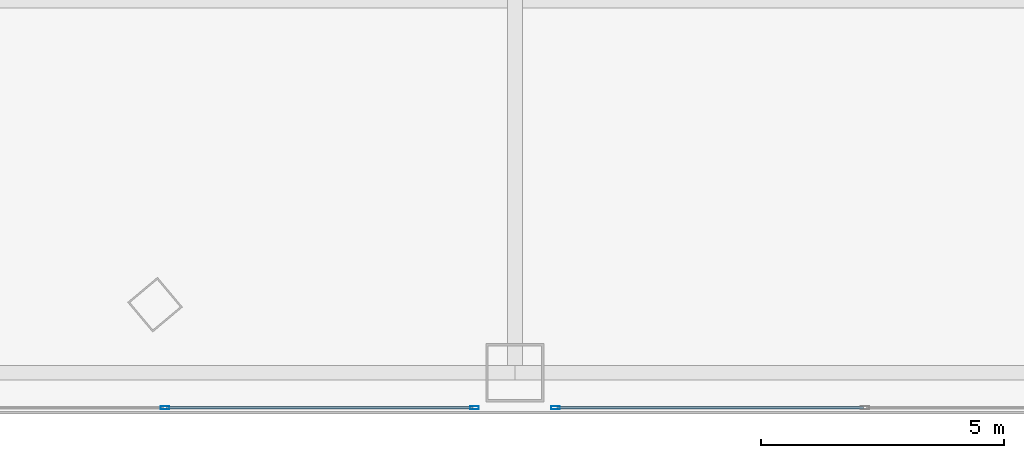
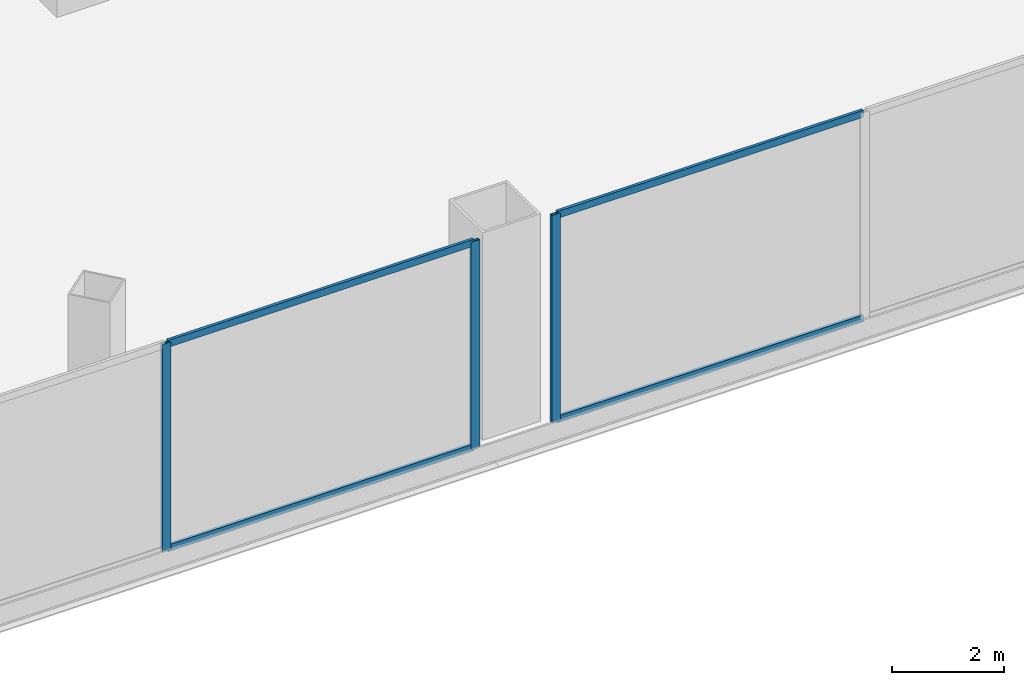
# One storey, part 13 of 27: 7 members, 2 elements without a shape of their own.
"""IFC4 building model written with IfcOpenShell, lengths in metres."""

import ifcopenshell
import ifcopenshell.guid

model = None  # the IFC model being written
_history = None  # IfcOwnerHistory: only IFC2X3 demands one
_inside = {}  # id of a spatial element -> (the spatial element, [elements in it])
_under = {}  # id of a project, library or spatial element -> (it, [spatial elements below it])
_declared = {}  # id of a project -> (the project, [libraries it declares])
_typed = {}  # id of a type object -> (the type object, [elements of that type])
_made_of = {}  # id of a material, layer set ... -> (it, [elements and type objects made of it])


def new_model(schema):
    """Start an empty IFC model of exactly this schema.

    Asked for "IFC4X3", IfcOpenShell would pick the latest addendum, in which some entities
    have other attributes; the version numbers below select the first issue.
    IFC2X3 requires an IfcOwnerHistory on every rooted entity: one is made here for all.
    """
    global model, _history
    if schema == "IFC4X3":
        model = ifcopenshell.file(schema_version=(4, 3, 0, 0))
    else:
        model = ifcopenshell.file(schema=schema)
    _inside.clear()
    _under.clear()
    _declared.clear()
    _typed.clear()
    _made_of.clear()
    _history = None
    if model.schema == "IFC2X3":
        org = make("IfcOrganization", Name="unknown")
        user = make(
            "IfcPersonAndOrganization",
            ThePerson=make("IfcPerson", FamilyName="unknown"),
            TheOrganization=org,
        )
        app = make(
            "IfcApplication",
            ApplicationDeveloper=org,
            Version="unknown",
            ApplicationFullName="unknown",
            ApplicationIdentifier="unknown",
        )
        _history = make(
            "IfcOwnerHistory",
            OwningUser=user,
            OwningApplication=app,
            ChangeAction="ADDED",
            CreationDate=0,
        )
    return model


def make(cls, **values):
    """One entity of the class cls with the attributes given. An attribute that is None is left unset."""
    return model.create_entity(
        cls, **{name: value for name, value in values.items() if value is not None}
    )


def rooted(cls, **values):
    """An entity with a GlobalId (a new one), such as an element, a storey or a relation."""
    return make(cls, GlobalId=ifcopenshell.guid.new(), OwnerHistory=_history, **values)


def si_unit(unit_type, name, prefix=None):
    """IfcSIUnit, for example si_unit("LENGTHUNIT", "METRE", prefix="MILLI")."""
    return make("IfcSIUnit", UnitType=unit_type, Prefix=prefix, Name=name)


def assignment(units):
    """IfcUnitAssignment: the units of a project."""
    return None if units is None else make("IfcUnitAssignment", Units=units)


def point(xyz):
    """IfcCartesianPoint."""
    return None if xyz is None else make("IfcCartesianPoint", Coordinates=xyz)


def direction(xyz):
    """IfcDirection."""
    return None if xyz is None else make("IfcDirection", DirectionRatios=xyz)


def frame(location, z_axis=None, x_axis=None):
    """IfcAxis2Placement3D, a coordinate frame: its origin and axes. An axis left out is left unset."""
    return make(
        "IfcAxis2Placement3D",
        Location=point(location),
        Axis=direction(z_axis),
        RefDirection=direction(x_axis),
    )


def frame_2d(location, x_axis=None):
    """IfcAxis2Placement2D, a coordinate frame in the plane: its origin and x axis."""
    return make(
        "IfcAxis2Placement2D", Location=point(location), RefDirection=direction(x_axis)
    )


def origin():
    """The frame at (0, 0, 0) with its axes left unset."""
    return frame((0.0, 0.0, 0.0))


def origin_2d():
    """The frame at (0, 0) in the plane with its x axis left unset."""
    return frame_2d((0.0, 0.0))


def place(relative_to, where):
    """IfcLocalPlacement: puts the frame where relative to a parent placement (None: the world)."""
    return make(
        "IfcLocalPlacement", PlacementRelTo=relative_to, RelativePlacement=where
    )


def context(
    kind, dimensions, precision=None, world=None, true_north=None, identifier=None
):
    """IfcGeometricRepresentationContext, for example the 3D "Model" context."""
    return make(
        "IfcGeometricRepresentationContext",
        ContextIdentifier=identifier,
        ContextType=kind,
        CoordinateSpaceDimension=dimensions,
        Precision=precision,
        WorldCoordinateSystem=world,
        TrueNorth=true_north,
    )


def subcontext(parent, identifier, kind, view, scale=None):
    """IfcGeometricRepresentationSubContext, for example "Body" below "Model"."""
    return make(
        "IfcGeometricRepresentationSubContext",
        ContextIdentifier=identifier,
        ContextType=kind,
        ParentContext=parent,
        TargetScale=scale,
        TargetView=view,
    )


def project(units=None, contexts=None):
    """IfcProject with its units and contexts."""
    return rooted(
        "IfcProject",
        Name="project",
        RepresentationContexts=contexts,
        UnitsInContext=assignment(units),
    )


def spatial(cls, under=None, at=None, **own):
    """A site, building, storey or space (cls), placed at a placement, below another one or the project."""
    s = rooted(cls, ObjectPlacement=at, **own)
    if under is not None:
        _under.setdefault(under.id(), (under, []))[1].append(s)
    return s


def profile(cls, at=None, kind="AREA", **sizes):
    """A parametric profile (cls). Its sizes go by their IFC names, for example OverallWidth=200.0."""
    return make(cls, ProfileType=kind, Position=at, **sizes)


def hollow_rectangle(**sizes):
    """IfcRectangleHollowProfileDef."""
    return profile("IfcRectangleHollowProfileDef", **sizes)


def extrude(swept, where, along, depth):
    """IfcExtrudedAreaSolid: the profile swept, set in the frame where, extruded along a direction by depth."""
    return make(
        "IfcExtrudedAreaSolid",
        SweptArea=swept,
        Position=where,
        ExtrudedDirection=direction(along),
        Depth=depth,
    )


def shape(context_of_items, identifier, shape_type, items):
    """IfcShapeRepresentation: the items that make up one representation, for example the "Body"."""
    return make(
        "IfcShapeRepresentation",
        ContextOfItems=context_of_items,
        RepresentationIdentifier=identifier,
        RepresentationType=shape_type,
        Items=items,
    )


def source(mapping_origin, context_of_items, identifier, shape_type, items):
    """IfcRepresentationMap: a shape defined once, which mapped items show again and again."""
    return make(
        "IfcRepresentationMap",
        MappingOrigin=mapping_origin,
        MappedRepresentation=shape(context_of_items, identifier, shape_type, items),
    )


def transform(
    local_origin,
    x_axis=None,
    y_axis=None,
    z_axis=None,
    scale=None,
    scale2=None,
    scale3=None,
    uniform=True,
):
    """IfcCartesianTransformationOperator3D, or its non-uniform kind. x_axis, y_axis, z_axis: its Axis1, 2, 3."""
    if uniform:
        return make(
            "IfcCartesianTransformationOperator3D",
            Axis1=direction(x_axis),
            Axis2=direction(y_axis),
            LocalOrigin=point(local_origin),
            Scale=scale,
            Axis3=direction(z_axis),
        )
    return make(
        "IfcCartesianTransformationOperator3DnonUniform",
        Axis1=direction(x_axis),
        Axis2=direction(y_axis),
        LocalOrigin=point(local_origin),
        Scale=scale,
        Axis3=direction(z_axis),
        Scale2=scale2,
        Scale3=scale3,
    )


def mapped(mapping_source, mapping_target):
    """IfcMappedItem: shows the shape of a source again, moved by a transform."""
    return make(
        "IfcMappedItem", MappingSource=mapping_source, MappingTarget=mapping_target
    )


def material(Name=None, Category=None):
    """IfcMaterial."""
    return make("IfcMaterial", Name=Name, Category=Category)


def layer(
    of_material, thickness, ventilated=None, Name=None, Category=None, Priority=None
):
    """IfcMaterialLayer: one layer of a wall or slab, of a material (None: an air gap)."""
    return make(
        "IfcMaterialLayer",
        Material=of_material,
        LayerThickness=thickness,
        IsVentilated=ventilated,
        Name=Name,
        Category=Category,
        Priority=Priority,
    )


def layer_set(layers, Name=None):
    """IfcMaterialLayerSet."""
    return make("IfcMaterialLayerSet", MaterialLayers=layers, LayerSetName=Name)


def material_profile(
    of_material, cross_section, Name=None, Category=None, Priority=None
):
    """IfcMaterialProfile: a cross section and its material."""
    return make(
        "IfcMaterialProfile",
        Name=Name,
        Material=of_material,
        Profile=cross_section,
        Priority=Priority,
        Category=Category,
    )


def profile_set(profiles, Name=None, composite=None):
    """IfcMaterialProfileSet."""
    return make(
        "IfcMaterialProfileSet",
        Name=Name,
        MaterialProfiles=profiles,
        CompositeProfile=composite,
    )


def made_of(thing, what):
    """Note that an element or type object is made of a material, layer set ...; save() writes the relation."""
    if what is not None:
        _made_of.setdefault(what.id(), (what, []))[1].append(thing)
    return thing


def type_object(cls, material=None, **own):
    """A type object (cls), such as IfcWallType, which elements share."""
    return made_of(rooted(cls, **own), material)


def element(
    cls,
    number,
    at=None,
    inside=None,
    cuts=None,
    type_object=None,
    material=None,
    context=None,
    identifier="Body",
    shape_type=None,
    held_by="IfcProductDefinitionShape",
    body=None,
    shapes=None,
    **own,
):
    """One element of the class cls, such as IfcWall. Its Tag is "e" and its number.

    at: its placement. inside: the storey or other place that contains it. cuts: it is an
    opening in that element (IfcRelVoidsElement). A single representation is given by context,
    identifier, shape_type and body (its items); several are given by shapes. held_by: the class
    of the entity that holds the representations. save() writes the other relations.
    """
    e = rooted(cls, Tag="e%d" % number, ObjectPlacement=at, **own)
    if body is not None:
        shapes = [shape(context, identifier, shape_type, body)]
    if shapes is not None:
        e.Representation = make(held_by, Representations=shapes)
    if inside is not None:
        _inside.setdefault(inside.id(), (inside, []))[1].append(e)
    if cuts is not None:
        rooted(
            "IfcRelVoidsElement", RelatingBuildingElement=cuts, RelatedOpeningElement=e
        )
    if type_object is not None:
        _typed.setdefault(type_object.id(), (type_object, []))[1].append(e)
    return made_of(e, material)


def aggregate(whole, parts):
    """IfcRelAggregates: a whole, such as a stair, and the parts it consists of."""
    return rooted("IfcRelAggregates", RelatingObject=whole, RelatedObjects=parts)


def save(model, path):
    """Write the relations noted so far, then the file.

    IfcRelAggregates (storeys below a building ...), IfcRelContainedInSpatialStructure (elements
    in a storey), IfcRelDefinesByType, IfcRelAssociatesMaterial and IfcRelDeclares: one each for
    every whole, place, type object, material and project.
    """
    for whole, parts in _under.values():
        aggregate(whole, parts)
    for where, things in _inside.values():
        rooted(
            "IfcRelContainedInSpatialStructure",
            RelatedElements=things,
            RelatingStructure=where,
        )
    for kind, things in _typed.values():
        rooted("IfcRelDefinesByType", RelatedObjects=things, RelatingType=kind)
    for what, things in _made_of.values():
        rooted("IfcRelAssociatesMaterial", RelatedObjects=things, RelatingMaterial=what)
    for by, libraries in _declared.values():
        rooted("IfcRelDeclares", RelatingContext=by, RelatedDefinitions=libraries)
    model.write(path)


model = new_model("IFC4")

# Units and contexts
model_context = context("Model", 3, precision=1e-05, world=origin(), true_north=direction((0.0, 1.0)))
body_context = subcontext(model_context, "Body", "Model", "MODEL_VIEW")
ifc_project = project(units=[si_unit("LENGTHUNIT", "METRE"), si_unit("AREAUNIT", "SQUARE_METRE"), si_unit("VOLUMEUNIT", "CUBIC_METRE"), si_unit("PLANEANGLEUNIT", "RADIAN"), si_unit("MASSUNIT", "GRAM", prefix="KILO"), si_unit("THERMODYNAMICTEMPERATUREUNIT", "KELVIN"), si_unit("POWERUNIT", "WATT")], contexts=[model_context])

# Site, building, storey
site_placement = place(None, origin())
site = spatial("IfcSite", under=ifc_project, at=site_placement, CompositionType="ELEMENT")
building_placement = place(site_placement, origin())
building = spatial("IfcBuilding", under=site, at=building_placement, Name="Yunzhuo Pagoda Commons", CompositionType="ELEMENT")
storey_placement = place(building_placement, frame((0.0, 0.0, 9.60009765625)))
storey = spatial("IfcBuildingStorey", under=building, at=storey_placement, Name="L03", CompositionType="ELEMENT", Elevation=9.60009765625)

# Curtain wall, members
ifc_material = material(Name="Anodized aluminium 6063-T6", Category="aluminium")
ifc_layer = layer(ifc_material, 0.179931640625)
ifc_layer_set = layer_set([ifc_layer], Name="Anodized aluminium 6063-T6")
curtain_wall_type = type_object("IfcCurtainWallType", Name="CW-POD Waterfront Podium Curtain Wall", PredefinedType="NOTDEFINED", material=ifc_layer_set)
curtain_wall_1_placement = place(storey_placement, origin())
curtain_wall_1 = element("IfcCurtainWall", 1, at=curtain_wall_1_placement, inside=storey, type_object=curtain_wall_type, Name="L03 curtain wall CW-L03-S4", PredefinedType="NOTDEFINED")
ifc_material_profile_1 = material_profile(ifc_material, hollow_rectangle(XDim=0.06494140625, YDim=0.179931640625, WallThickness=0.00390625, at=origin_2d()), Name="Anodized aluminium 6063-T6")
ifc_profile_set_1 = profile_set([ifc_material_profile_1], Name="Anodized aluminium 6063-T6")
member_type_1 = type_object("IfcMemberType", Name="CW-POD-M Mullion RHS 180x65x4", PredefinedType="MULLION", material=ifc_profile_set_1)
shared_shape_1 = source(origin(), body_context, "Body", "SweptSolid", [
    extrude(hollow_rectangle(XDim=0.06494140625, YDim=0.179931640625, WallThickness=0.00390625, at=origin_2d()), origin(), (0.0, 0.0, 1.0), 4.52001953125),
])
member_1_placement = place(storey_placement, frame((69.60009765625, 6.080078125, 0.0), z_axis=(0.0, 0.0, 1.0), x_axis=(0.0, 1.0, 0.0)))
member_1 = element("IfcMember", 2, at=member_1_placement, type_object=member_type_1, Name="CW mullion 2", PredefinedType="MULLION", context=body_context, shape_type="MappedRepresentation", body=[
    mapped(shared_shape_1, transform((0.0, 0.0, 0.0), scale=1.0)),
])
member_2_placement = place(storey_placement, frame((75.967529296875, 6.080078125, 0.0), z_axis=(0.0, 0.0, 1.0), x_axis=(0.0, 1.0, 0.0)))
member_2 = element("IfcMember", 3, at=member_2_placement, type_object=member_type_1, Name="CW mullion 3", PredefinedType="MULLION", context=body_context, shape_type="MappedRepresentation", body=[
    mapped(shared_shape_1, transform((0.0, 0.0, 0.0), scale=1.0)),
])

# Curtain wall, member
curtain_wall_2_placement = place(storey_placement, origin())
curtain_wall_2 = element("IfcCurtainWall", 4, at=curtain_wall_2_placement, inside=storey, type_object=curtain_wall_type, Name="L03 curtain wall CW-L03-S5", PredefinedType="NOTDEFINED")
member_3_placement = place(storey_placement, frame((77.632568359375, 6.080078125, 0.0), z_axis=(0.0, 0.0, 1.0), x_axis=(0.0, 1.0, 0.0)))
member_3 = element("IfcMember", 5, at=member_3_placement, type_object=member_type_1, Name="CW mullion 1", PredefinedType="MULLION", context=body_context, shape_type="MappedRepresentation", body=[
    mapped(shared_shape_1, transform((0.0, 0.0, 0.0), scale=1.0)),
])

# Member
ifc_material_profile_2 = material_profile(ifc_material, hollow_rectangle(XDim=0.06005859375, YDim=0.14990234375, WallThickness=0.00390625, at=origin_2d()), Name="Anodized aluminium 6063-T6")
ifc_profile_set_2 = profile_set([ifc_material_profile_2], Name="Anodized aluminium 6063-T6")
member_type_2 = type_object("IfcMemberType", Name="CW-POD-T Transom RHS 150x60x4", PredefinedType="USERDEFINED", material=ifc_profile_set_2)
shared_shape_2 = source(origin(), body_context, "Body", "SweptSolid", [
    extrude(hollow_rectangle(XDim=0.06005859375, YDim=0.14990234375, WallThickness=0.00390625, at=origin_2d()), origin(), (0.0, 0.0, 1.0), 6.302490234375),
])
member_4_placement = place(storey_placement, frame((69.632568359375, 6.080078125, 0.02978515625), z_axis=(1.0, 0.0, 0.0), x_axis=(0.0, 1.0, 0.0)))
member_4 = element("IfcMember", 6, at=member_4_placement, type_object=member_type_2, Name="CW transom 2.1", ObjectType="TRANSOM", PredefinedType="USERDEFINED", context=body_context, shape_type="MappedRepresentation", body=[
    mapped(shared_shape_2, transform((0.0, 0.0, 0.0), scale=1.0)),
])

member_5_placement = place(storey_placement, frame((69.632568359375, 6.080078125, 4.489990234375), z_axis=(1.0, 0.0, 0.0), x_axis=(0.0, 1.0, 0.0)))
member_5 = element("IfcMember", 7, at=member_5_placement, type_object=member_type_2, Name="CW transom 2.2", ObjectType="TRANSOM", PredefinedType="USERDEFINED", context=body_context, shape_type="MappedRepresentation", body=[
    mapped(shared_shape_2, transform((0.0, 0.0, 0.0), scale=1.0)),
])

aggregate(curtain_wall_1, [member_1, member_2, member_4, member_5])

member_6_placement = place(storey_placement, frame((77.6650390625, 6.080078125, 0.02978515625), z_axis=(1.0, 0.0, 0.0), x_axis=(0.0, 1.0, 0.0)))
member_6 = element("IfcMember", 8, at=member_6_placement, type_object=member_type_2, Name="CW transom 1.1", ObjectType="TRANSOM", PredefinedType="USERDEFINED", context=body_context, shape_type="MappedRepresentation", body=[
    mapped(shared_shape_2, transform((0.0, 0.0, 0.0), scale=1.0)),
])

member_7_placement = place(storey_placement, frame((77.6650390625, 6.080078125, 4.489990234375), z_axis=(1.0, 0.0, 0.0), x_axis=(0.0, 1.0, 0.0)))
member_7 = element("IfcMember", 9, at=member_7_placement, type_object=member_type_2, Name="CW transom 1.2", ObjectType="TRANSOM", PredefinedType="USERDEFINED", context=body_context, shape_type="MappedRepresentation", body=[
    mapped(shared_shape_2, transform((0.0, 0.0, 0.0), scale=1.0)),
])

aggregate(curtain_wall_2, [member_3, member_6, member_7])

save(model, "model.ifc")
